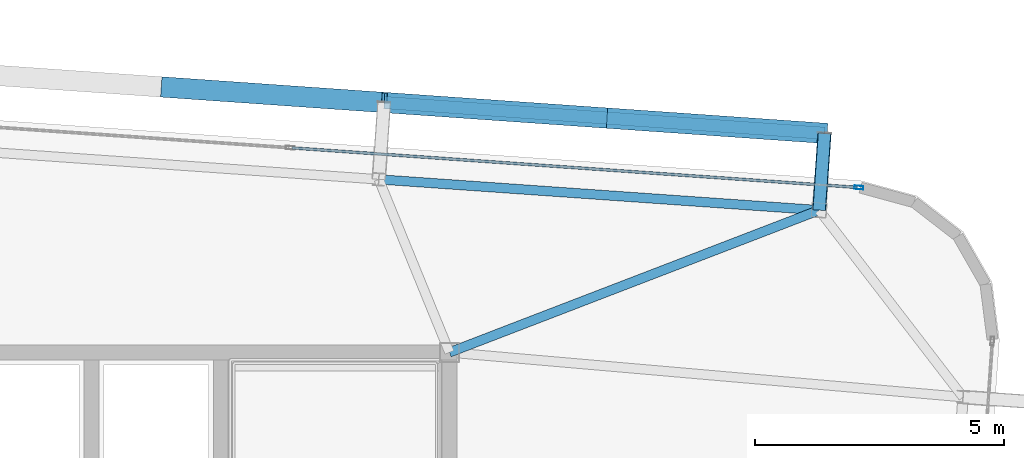
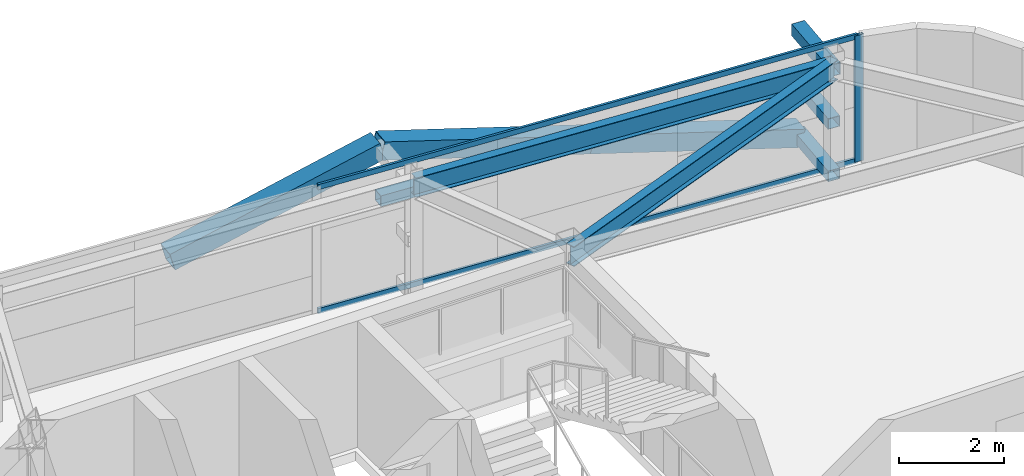
# One storey, part 24 of 39: 10 members, 2 beams, 1 element without a shape of its own.
"""IFC4 building model written with IfcOpenShell, lengths in metres."""

from ifc_helpers import new_model, si_unit, direction, frame, origin, origin_2d, place, context, subcontext, project, spatial, hollow_rectangle, i_section, extrude, source, transform, mapped, material, layer, layer_set, material_profile, profile_set, type_object, element, aggregate, save


model = new_model("IFC4")

# Units and contexts
model_context = context("Model", 3, precision=1e-05, world=origin(), true_north=direction((0.0, 1.0)))
body_context = subcontext(model_context, "Body", "Model", "MODEL_VIEW")
ifc_project = project(units=[si_unit("LENGTHUNIT", "METRE"), si_unit("AREAUNIT", "SQUARE_METRE"), si_unit("VOLUMEUNIT", "CUBIC_METRE"), si_unit("PLANEANGLEUNIT", "RADIAN"), si_unit("MASSUNIT", "GRAM", prefix="KILO")], contexts=[model_context])

# Site, building, storey
site_placement = place(None, origin())
site = spatial("IfcSite", under=ifc_project, at=site_placement, CompositionType="ELEMENT")
building_placement = place(site_placement, origin())
building = spatial("IfcBuilding", under=site, at=building_placement, Name="Taldren Reach Tower", CompositionType="ELEMENT")
storey_placement = place(building_placement, frame((0.0, 0.0, 129.85009765625)))
storey = spatial("IfcBuildingStorey", under=building, at=storey_placement, Name="L39", CompositionType="ELEMENT", Elevation=129.85009765625)

# Members
ifc_material_1 = material(Name="Steel Gr 450 (C450L0)", Category="steel")
ifc_material_profile_1 = material_profile(ifc_material_1, hollow_rectangle(XDim=0.27490234375, YDim=0.27490234375, WallThickness=0.00927734375, at=origin_2d()), Name="275x275x9.3SHS")
ifc_profile_set_1 = profile_set([ifc_material_profile_1], Name="Steel Gr 450 (C450L0)")
member_type_1 = type_object("IfcMemberType", Name="MB-TIE273", PredefinedType="STRUT", material=ifc_profile_set_1)
shared_shape_1 = source(origin(), body_context, "Body", "SweptSolid", [
    extrude(hollow_rectangle(XDim=0.27490234375, YDim=0.27490234375, WallThickness=0.00927734375, at=origin_2d()), origin(), (0.0, 0.0, 1.0), 1.5498046875),
])
member_1_placement = place(storey_placement, frame((58.4365234375, 34.861572265625, 2.64990234375), z_axis=(0.069780535098, 0.997562367434, 0.0), x_axis=(-0.997562367434, 0.069780535098, 0.0)))
element("IfcMember", 1, at=member_1_placement, inside=storey, type_object=member_type_1, Name="Exoskeleton diaphragm tie strut B3-N6 L39", PredefinedType="STRUT", context=body_context, shape_type="MappedRepresentation", body=[
    mapped(shared_shape_1, transform((0.0, 0.0, 0.0), scale=1.0)),
])
ifc_material_2 = material(Name="Steel Gr 350 (C350L0)", Category="steel")
ifc_material_profile_2 = material_profile(ifc_material_2, hollow_rectangle(XDim=0.25, YDim=0.25, WallThickness=0.010009765625, at=origin_2d()), Name="250x250x10.0SHS")
ifc_profile_set_2 = profile_set([ifc_material_profile_2], Name="Steel Gr 350 (C350L0)")
member_type_2 = type_object("IfcMemberType", Name="MB-POST250", PredefinedType="POST", material=ifc_profile_set_2)
shared_shape_2 = source(origin(), body_context, "Body", "SweptSolid", [
    extrude(hollow_rectangle(XDim=0.25, YDim=0.25, WallThickness=0.010009765625, at=origin_2d()), origin(), (0.0, 0.0, 1.0), 1.5498046875),
])
for number, where, z_axis, x_axis, name in (
    (2, (58.4365234375, 34.861572265625, 0.219970703125), (0.069780535098, 0.997562367434, 0.0), (-0.997562367434, 0.069780535098, 0.0), "Exoskeleton base diaphragm tie strut B3-N6 L39"),
    (3, (58.4365234375, 34.861572265625, 1.434814453125), (0.069780535098, 0.997562367434, 0.0), (-0.997562367434, 0.069780535098, 0.0), "Exoskeleton mid-tier diaphragm tie B3-N6 L39"),
):
    element("IfcMember", number, at=place(storey_placement, frame(where, z_axis=z_axis, x_axis=x_axis)), inside=storey, type_object=member_type_2, Name=name, PredefinedType="POST", context=body_context, shape_type="MappedRepresentation", body=[
        mapped(shared_shape_2, transform((0.0, 0.0, 0.0), scale=1.0)),
    ])

# Beams
ifc_material_3 = material(Name="Steel Gr 350 (350PLUS)", Category="steel")
ifc_material_profile_3 = material_profile(ifc_material_3, i_section(OverallWidth=0.18994140625, OverallDepth=0.4541015625, WebThickness=0.008544921875, FlangeThickness=0.0126953125, at=origin_2d()), Name="460UB67.1")
ifc_profile_set_3 = profile_set([ifc_material_profile_3], Name="Steel Gr 350 (350PLUS)")
beam_type_1 = type_object("IfcBeamType", Name="SP-UB460B", PredefinedType="SPANDREL", material=ifc_profile_set_3)
shared_shape_3 = source(origin(), body_context, "Body", "SweptSolid", [
    extrude(i_section(OverallWidth=0.18994140625, OverallDepth=0.4541015625, WebThickness=0.008544921875, FlangeThickness=0.0126953125, at=origin_2d()), origin(), (0.0, 0.0, 1.0), 8.880126953125),
])
beam_1_placement = place(storey_placement, frame((58.4365234375, 34.861572265625, 2.702880859375), z_axis=(-0.997564479639, 0.069750333063, 0.0), x_axis=(-0.069750333063, -0.997564479639, 0.0)))
element("IfcBeam", 4, at=beam_1_placement, inside=storey, type_object=beam_type_1, Name="Perimeter spandrel B3 N6-N5 L39", PredefinedType="SPANDREL", context=body_context, shape_type="MappedRepresentation", body=[
    mapped(shared_shape_3, transform((0.0, 0.0, 0.0), scale=1.0)),
])
ifc_material_profile_4 = material_profile(ifc_material_3, i_section(OverallWidth=0.19091796875, OverallDepth=0.4599609375, WebThickness=0.010009765625, FlangeThickness=0.01611328125, at=origin_2d()), Name="460UB82.1")
ifc_profile_set_4 = profile_set([ifc_material_profile_4], Name="Steel Gr 350 (350PLUS)")
beam_type_2 = type_object("IfcBeamType", Name="BM-UB460A", PredefinedType="BEAM", material=ifc_profile_set_4)
shared_shape_4 = source(origin(), body_context, "Body", "SweptSolid", [
    extrude(i_section(OverallWidth=0.19091796875, OverallDepth=0.4599609375, WebThickness=0.010009765625, FlangeThickness=0.01611328125, at=origin_2d()), origin(), (0.0, 0.0, 1.0), 7.968017578125),
])
beam_2_placement = place(storey_placement, frame((51.0, 32.0, 2.699951171875), z_axis=(0.933287947144, 0.359128956943, 0.0), x_axis=(-0.359128956943, 0.933287947144, 0.0)))
element("IfcBeam", 5, at=beam_2_placement, inside=storey, type_object=beam_type_2, Name="Primary floor girder B3-N6 L39", PredefinedType="BEAM", context=body_context, shape_type="MappedRepresentation", body=[
    mapped(shared_shape_4, transform((0.0, 0.0, 0.0), scale=1.0)),
])

# Members
shared_shape_5 = source(origin(), body_context, "Body", "SweptSolid", [
    extrude(hollow_rectangle(XDim=0.25, YDim=0.25, WallThickness=0.010009765625, at=origin_2d()), origin(), (0.0, 0.0, 1.0), 8.880126953125),
])
member_2_placement = place(storey_placement, frame((49.686279296875, 37.02734375, 1.434814453125), z_axis=(0.997562566276, -0.06977769246, 0.0), x_axis=(0.06977769246, 0.997562566276, 0.0)))
element("IfcMember", 6, at=member_2_placement, inside=storey, type_object=member_type_2, Name="Exoskeleton mid-height ring chord B3-N5 L39", PredefinedType="POST", context=body_context, shape_type="MappedRepresentation", body=[
    mapped(shared_shape_5, transform((0.0, 0.0, 0.0), scale=1.0)),
])
ifc_material_profile_5 = material_profile(ifc_material_1, hollow_rectangle(XDim=0.409912109375, YDim=0.409912109375, WallThickness=0.01611328125, at=origin_2d()), Name="410x410x16.0SHS")
ifc_profile_set_5 = profile_set([ifc_material_profile_5], Name="Steel Gr 450 (C450L0)")
member_type_3 = type_object("IfcMemberType", Name="MB-EXO406", PredefinedType="BRACE", material=ifc_profile_set_5)
shared_shape_6 = source(origin(), body_context, "Body", "SweptSolid", [
    extrude(hollow_rectangle(XDim=0.409912109375, YDim=0.409912109375, WallThickness=0.01611328125, at=origin_2d()), origin(), (0.0, 0.0, 1.0), 4.603271484375),
])
for number, where, z_axis, x_axis, name in (
    (7, (45.257080078125, 37.3369140625, 1.434814453125), (0.962185784239, -0.067250114343, 0.263962002434), (0.069722973508, 0.997566392259, 0.0), "Exoskeleton Diagrid Brace B3-N4 L39"),
    (8, (58.544677734375, 36.40771484375, 0.219970703125), (-0.962195820062, 0.067303852699, 0.263911718699), (-0.06977769246, -0.997562566276, 0.0), "Exoskeleton Diagrid Brace B3-N5 L39"),
    (9, (54.115478515625, 36.717529296875, 1.434814453125), (-0.962182351074, 0.067302910567, 0.263961060594), (-0.06977769246, -0.997562566276, 0.0), "Exoskeleton Diagrid Brace B3-N5 L39"),
):
    element("IfcMember", number, at=place(storey_placement, frame(where, z_axis=z_axis, x_axis=x_axis)), inside=storey, type_object=member_type_3, Name=name, PredefinedType="BRACE", context=body_context, shape_type="MappedRepresentation", body=[
        mapped(shared_shape_6, transform((0.0, 0.0, 0.0), scale=1.0)),
    ])

# Curtain wall, members
ifc_material_4 = material(Name="Aluminium and Low-E Glass Unitised System", Category="aluminium")
ifc_layer = layer(ifc_material_4, 0.159912109375)
ifc_layer_set = layer_set([ifc_layer], Name="Aluminium and Low-E Glass Unitised System")
curtain_wall_type = type_object("IfcCurtainWallType", Name="CW-SYS-4", PredefinedType="NOTDEFINED", material=ifc_layer_set)
curtain_wall_placement = place(storey_placement, origin())
curtain_wall = element("IfcCurtainWall", 10, at=curtain_wall_placement, inside=storey, type_object=curtain_wall_type, Name="Unitised curtain wall CW-L39-N", PredefinedType="NOTDEFINED")
ifc_material_5 = material(Name="Anodised Aluminium 6063-T6", Category="aluminium")
ifc_material_profile_6 = material_profile(ifc_material_5, hollow_rectangle(XDim=0.054931640625, YDim=0.1201171875, WallThickness=0.0029296875, at=origin_2d()), Name="ALU-120x55x3RHS")
ifc_profile_set_6 = profile_set([ifc_material_profile_6], Name="Anodised Aluminium 6063-T6")
member_type_4 = type_object("IfcMemberType", Name="CW-TRN-135", PredefinedType="USERDEFINED", material=ifc_profile_set_6)
shared_shape_7 = source(origin(), body_context, "Body", "SweptSolid", [
    extrude(hollow_rectangle(XDim=0.054931640625, YDim=0.1201171875, WallThickness=0.0029296875, at=origin_2d()), origin(), (0.0, 0.0, 1.0), 11.39501953125),
])
member_3_placement = place(storey_placement, frame((59.2001953125, 35.3193359375, 0.02734375), z_axis=(-0.997563740682, 0.069760900766, 0.0), x_axis=(-0.069760900766, -0.997563740682, 0.0)))
member_3 = element("IfcMember", 11, at=member_3_placement, type_object=member_type_4, Name="CW-4 transom 1.1", ObjectType="TRANSOM", PredefinedType="USERDEFINED", context=body_context, shape_type="MappedRepresentation", body=[
    mapped(shared_shape_7, transform((0.0, 0.0, 0.0), scale=1.0)),
])
member_4_placement = place(storey_placement, frame((59.2001953125, 35.3193359375, 2.90234375), z_axis=(-0.997563740682, 0.069760900766, 0.0), x_axis=(-0.069760900766, -0.997563740682, 0.0)))
member_4 = element("IfcMember", 12, at=member_4_placement, type_object=member_type_4, Name="CW-4 transom 1.2", ObjectType="TRANSOM", PredefinedType="USERDEFINED", context=body_context, shape_type="MappedRepresentation", body=[
    mapped(shared_shape_7, transform((0.0, 0.0, 0.0), scale=1.0)),
])
ifc_material_profile_7 = material_profile(ifc_material_5, hollow_rectangle(XDim=0.070068359375, YDim=0.179931640625, WallThickness=0.00390625, at=origin_2d()), Name="ALU-180x70x4RHS")
ifc_profile_set_7 = profile_set([ifc_material_profile_7], Name="Anodised Aluminium 6063-T6")
member_type_5 = type_object("IfcMemberType", Name="CW-MUL-180", PredefinedType="MULLION", material=ifc_profile_set_7)
shared_shape_8 = source(origin(), body_context, "Body", "SweptSolid", [
    extrude(hollow_rectangle(XDim=0.070068359375, YDim=0.179931640625, WallThickness=0.00390625, at=origin_2d()), origin(), (0.0, 0.0, 1.0), 2.929931640625),
])
member_5_placement = place(storey_placement, frame((59.235107421875, 35.31689453125, 0.0), z_axis=(0.0, 0.0, 1.0), x_axis=(-0.06975651593, -0.99756404731, 0.0)))
member_5 = element("IfcMember", 13, at=member_5_placement, type_object=member_type_5, Name="CW-4 mullion 1", PredefinedType="MULLION", context=body_context, shape_type="MappedRepresentation", body=[
    mapped(shared_shape_8, transform((0.0, 0.0, 0.0), scale=1.0)),
])
aggregate(curtain_wall, [member_5, member_3, member_4])

save(model, "model.ifc")
